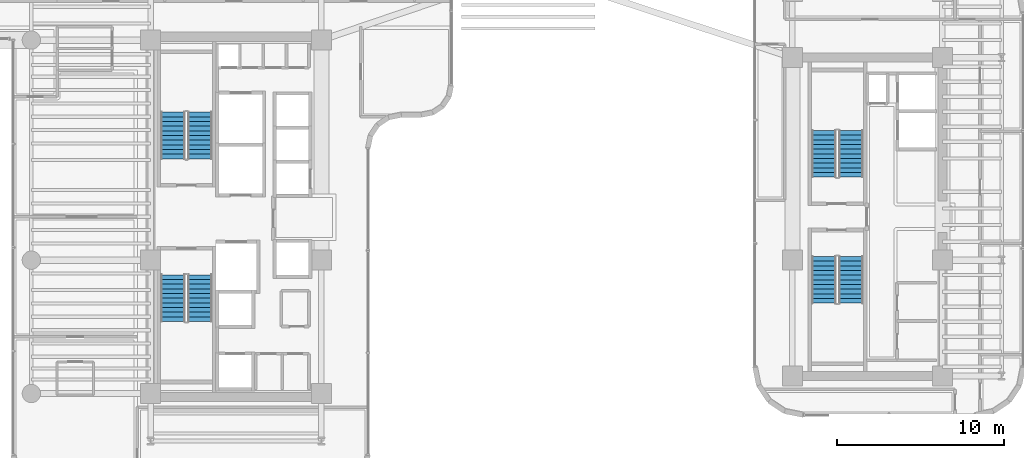
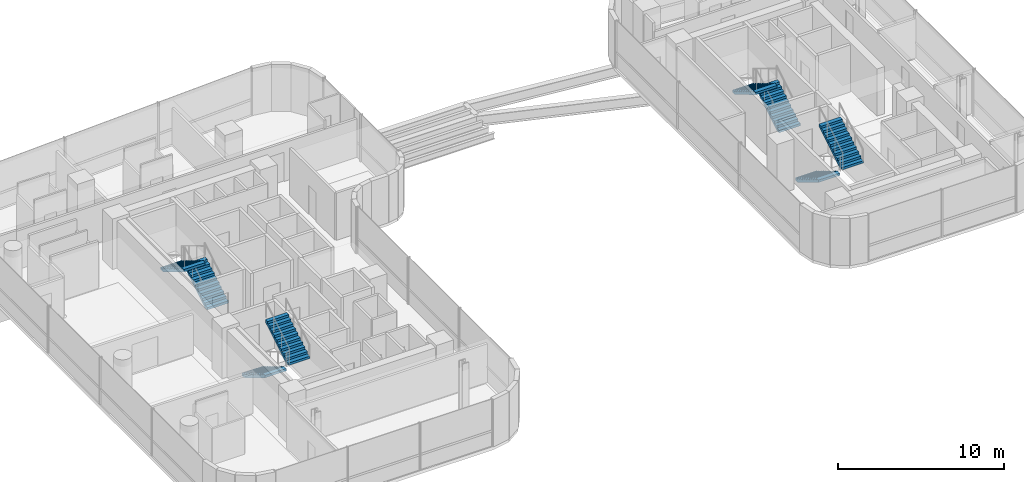
# One storey, part 32 of 36: 8 stair flights, 4 elements without a shape of their own.
"""IFC4 building model written with IfcOpenShell, lengths in metres."""

from ifc_helpers import new_model, si_unit, direction, frame, origin, place, context, subcontext, project, spatial, polyline, outline, extrude, material, type_object, element, aggregate, save


model = new_model("IFC4")

# Units and contexts
model_context = context("Model", 3, precision=1e-05, world=origin(), true_north=direction((0.0, 1.0)))
body_context = subcontext(model_context, "Body", "Model", "MODEL_VIEW")
ifc_project = project(units=[si_unit("LENGTHUNIT", "METRE"), si_unit("AREAUNIT", "SQUARE_METRE"), si_unit("VOLUMEUNIT", "CUBIC_METRE"), si_unit("PLANEANGLEUNIT", "RADIAN"), si_unit("MASSUNIT", "GRAM", prefix="KILO")], contexts=[model_context])

# Site, building, storey
site_placement = place(None, origin())
site = spatial("IfcSite", under=ifc_project, at=site_placement, CompositionType="ELEMENT")
building_placement = place(site_placement, origin())
building = spatial("IfcBuilding", under=site, at=building_placement, Name="Valdorenza Pilgrim Sanctuary Tower", CompositionType="ELEMENT")
storey_placement = place(building_placement, frame((0.0, 0.0, 153.800048828125)))
storey = spatial("IfcBuildingStorey", under=building, at=storey_placement, Name="L39", CompositionType="ELEMENT", Elevation=153.800048828125)

# Stair, stair flights
ifc_material = material(Name="Concrete C40/50", Category="concrete")
stair_type = type_object("IfcStairType", Name="STR-DOG-CORE", PredefinedType="HALF_TURN_STAIR", material=ifc_material)
stair_1_placement = place(storey_placement, origin())
stair_1 = element("IfcStair", 1, at=stair_1_placement, inside=storey, type_object=stair_type, Name="L39 ST-A1", PredefinedType="HALF_TURN_STAIR")
stair_flight_type = type_object("IfcStairFlightType", Name="STF-RC-1400", PredefinedType="STRAIGHT", material=ifc_material)
stair_flight_1_placement = place(storey_placement, frame((-19.679931640625, 3.47998046875, 0.0), z_axis=(0.0, 0.0, 1.0), x_axis=(0.0, 1.0, 0.0)))
stair_flight_1 = element("IfcStairFlight", 2, at=stair_flight_1_placement, type_object=stair_flight_type, Name="ST-A1 flight 1", NumberOfRisers=11, NumberOfTreads=10, PredefinedType="STRAIGHT", RiserHeight=0.168181818, TreadLength=0.28, context=body_context, shape_type="SweptSolid", body=[
    extrude(outline(polyline([(0.0, 0.0), (0.0, 0.168212890625), (0.280029296875, 0.168212890625), (0.280029296875, 0.33642578125), (0.56005859375, 0.33642578125), (0.56005859375, 0.504638671875), (0.840087890625, 0.504638671875), (0.840087890625, 0.672607421875), (1.1201171875, 0.672607421875), (1.1201171875, 0.8408203125), (1.39990234375, 0.8408203125), (1.39990234375, 1.009033203125), (1.679931640625, 1.009033203125), (1.679931640625, 1.17724609375), (1.9599609375, 1.17724609375), (1.9599609375, 1.345458984375), (2.239990234375, 1.345458984375), (2.239990234375, 1.513671875), (2.52001953125, 1.513671875), (2.52001953125, 1.681884765625), (2.800048828125, 1.681884765625), (2.800048828125, 1.85009765625), (2.800048828125, 1.5068359375), (0.291015625, 0.0), (0.0, 0.0)])), frame((0.0, 0.739990234375, 0.0), z_axis=(0.0, -1.0, 0.0), x_axis=(1.0, 0.0, 0.0)), (0.0, 0.0, 1.0), 1.47998046875),
])
stair_flight_2_placement = place(storey_placement, frame((-21.31005859375, 6.280029296875, 1.849853515625), z_axis=(0.0, 0.0, 1.0), x_axis=(0.0, -1.0, 0.0)))
stair_flight_2 = element("IfcStairFlight", 3, at=stair_flight_2_placement, type_object=stair_flight_type, Name="ST-A1 flight 2", NumberOfRisers=11, NumberOfTreads=10, PredefinedType="STRAIGHT", RiserHeight=0.168181818, TreadLength=0.28, context=body_context, shape_type="SweptSolid", body=[
    extrude(outline(polyline([(0.0, 0.0), (0.0, 0.168212890625), (0.280029296875, 0.168212890625), (0.280029296875, 0.33642578125), (0.56005859375, 0.33642578125), (0.56005859375, 0.504638671875), (0.840087890625, 0.504638671875), (0.840087890625, 0.672607421875), (1.1201171875, 0.672607421875), (1.1201171875, 0.8408203125), (1.39990234375, 0.8408203125), (1.39990234375, 1.009033203125), (1.679931640625, 1.009033203125), (1.679931640625, 1.17724609375), (1.9599609375, 1.17724609375), (1.9599609375, 1.345458984375), (2.239990234375, 1.345458984375), (2.239990234375, 1.513671875), (2.52001953125, 1.513671875), (2.52001953125, 1.681884765625), (2.800048828125, 1.681884765625), (2.800048828125, 1.85009765625), (2.800048828125, 1.5068359375), (0.291015625, 0.0), (0.0, 0.0)])), frame((0.0, 0.739990234375, 0.0), z_axis=(0.0, -1.0, 0.0), x_axis=(1.0, 0.0, 0.0)), (0.0, 0.0, 1.0), 1.47998046875),
])
aggregate(stair_1, [stair_flight_1, stair_flight_2])

stair_2_placement = place(storey_placement, origin())
stair_2 = element("IfcStair", 4, at=stair_2_placement, inside=storey, type_object=stair_type, Name="L39 ST-A2", PredefinedType="HALF_TURN_STAIR")
stair_flight_3_placement = place(storey_placement, frame((-21.31005859375, -3.47998046875, 0.0), z_axis=(0.0, 0.0, 1.0), x_axis=(0.0, -1.0, 0.0)))
stair_flight_3 = element("IfcStairFlight", 5, at=stair_flight_3_placement, type_object=stair_flight_type, Name="ST-A2 flight 1", NumberOfRisers=11, NumberOfTreads=10, PredefinedType="STRAIGHT", RiserHeight=0.168181818, TreadLength=0.28, context=body_context, shape_type="SweptSolid", body=[
    extrude(outline(polyline([(0.0, 0.0), (0.0, 0.168212890625), (0.280029296875, 0.168212890625), (0.280029296875, 0.33642578125), (0.56005859375, 0.33642578125), (0.56005859375, 0.504638671875), (0.840087890625, 0.504638671875), (0.840087890625, 0.672607421875), (1.1201171875, 0.672607421875), (1.1201171875, 0.8408203125), (1.39990234375, 0.8408203125), (1.39990234375, 1.009033203125), (1.679931640625, 1.009033203125), (1.679931640625, 1.17724609375), (1.9599609375, 1.17724609375), (1.9599609375, 1.345458984375), (2.239990234375, 1.345458984375), (2.239990234375, 1.513671875), (2.52001953125, 1.513671875), (2.52001953125, 1.681884765625), (2.800048828125, 1.681884765625), (2.800048828125, 1.85009765625), (2.800048828125, 1.5068359375), (0.291015625, 0.0), (0.0, 0.0)])), frame((0.0, 0.739990234375, 0.0), z_axis=(0.0, -1.0, 0.0), x_axis=(1.0, 0.0, 0.0)), (0.0, 0.0, 1.0), 1.47998046875),
])
stair_flight_4_placement = place(storey_placement, frame((-19.679931640625, -6.280029296875, 1.849853515625), z_axis=(0.0, 0.0, 1.0), x_axis=(0.0, 1.0, 0.0)))
stair_flight_4 = element("IfcStairFlight", 6, at=stair_flight_4_placement, type_object=stair_flight_type, Name="ST-A2 flight 2", NumberOfRisers=11, NumberOfTreads=10, PredefinedType="STRAIGHT", RiserHeight=0.168181818, TreadLength=0.28, context=body_context, shape_type="SweptSolid", body=[
    extrude(outline(polyline([(0.0, 0.0), (0.0, 0.168212890625), (0.280029296875, 0.168212890625), (0.280029296875, 0.33642578125), (0.56005859375, 0.33642578125), (0.56005859375, 0.504638671875), (0.840087890625, 0.504638671875), (0.840087890625, 0.672607421875), (1.1201171875, 0.672607421875), (1.1201171875, 0.8408203125), (1.39990234375, 0.8408203125), (1.39990234375, 1.009033203125), (1.679931640625, 1.009033203125), (1.679931640625, 1.17724609375), (1.9599609375, 1.17724609375), (1.9599609375, 1.345458984375), (2.239990234375, 1.345458984375), (2.239990234375, 1.513671875), (2.52001953125, 1.513671875), (2.52001953125, 1.681884765625), (2.800048828125, 1.681884765625), (2.800048828125, 1.85009765625), (2.800048828125, 1.5068359375), (0.291015625, 0.0), (0.0, 0.0)])), frame((0.0, 0.739990234375, 0.0), z_axis=(0.0, -1.0, 0.0), x_axis=(1.0, 0.0, 0.0)), (0.0, 0.0, 1.0), 1.47998046875),
])
aggregate(stair_2, [stair_flight_3, stair_flight_4])

stair_3_placement = place(storey_placement, origin())
stair_3 = element("IfcStair", 7, at=stair_3_placement, inside=storey, type_object=stair_type, Name="L39 ST-B1", PredefinedType="HALF_TURN_STAIR")
stair_flight_5_placement = place(storey_placement, frame((19.3701171875, 2.3798828125, 0.0), z_axis=(0.0, 0.0, 1.0), x_axis=(0.0, 1.0, 0.0)))
stair_flight_5 = element("IfcStairFlight", 8, at=stair_flight_5_placement, type_object=stair_flight_type, Name="ST-B1 flight 1", NumberOfRisers=11, NumberOfTreads=10, PredefinedType="STRAIGHT", RiserHeight=0.168181818, TreadLength=0.28, context=body_context, shape_type="SweptSolid", body=[
    extrude(outline(polyline([(0.0, 0.0), (0.0, 0.168212890625), (0.280029296875, 0.168212890625), (0.280029296875, 0.33642578125), (0.56005859375, 0.33642578125), (0.56005859375, 0.504638671875), (0.840087890625, 0.504638671875), (0.840087890625, 0.672607421875), (1.1201171875, 0.672607421875), (1.1201171875, 0.8408203125), (1.39990234375, 0.8408203125), (1.39990234375, 1.009033203125), (1.679931640625, 1.009033203125), (1.679931640625, 1.17724609375), (1.9599609375, 1.17724609375), (1.9599609375, 1.345458984375), (2.239990234375, 1.345458984375), (2.239990234375, 1.513671875), (2.52001953125, 1.513671875), (2.52001953125, 1.681884765625), (2.800048828125, 1.681884765625), (2.800048828125, 1.85009765625), (2.800048828125, 1.5068359375), (0.291015625, 0.0), (0.0, 0.0)])), frame((0.0, 0.739990234375, 0.0), z_axis=(0.0, -1.0, 0.0), x_axis=(1.0, 0.0, 0.0)), (0.0, 0.0, 1.0), 1.47998046875),
])
stair_flight_6_placement = place(storey_placement, frame((17.739990234375, 5.179931640625, 1.849853515625), z_axis=(0.0, 0.0, 1.0), x_axis=(0.0, -1.0, 0.0)))
stair_flight_6 = element("IfcStairFlight", 9, at=stair_flight_6_placement, type_object=stair_flight_type, Name="ST-B1 flight 2", NumberOfRisers=11, NumberOfTreads=10, PredefinedType="STRAIGHT", RiserHeight=0.168181818, TreadLength=0.28, context=body_context, shape_type="SweptSolid", body=[
    extrude(outline(polyline([(0.0, 0.0), (0.0, 0.168212890625), (0.280029296875, 0.168212890625), (0.280029296875, 0.33642578125), (0.56005859375, 0.33642578125), (0.56005859375, 0.504638671875), (0.840087890625, 0.504638671875), (0.840087890625, 0.672607421875), (1.1201171875, 0.672607421875), (1.1201171875, 0.8408203125), (1.39990234375, 0.8408203125), (1.39990234375, 1.009033203125), (1.679931640625, 1.009033203125), (1.679931640625, 1.17724609375), (1.9599609375, 1.17724609375), (1.9599609375, 1.345458984375), (2.239990234375, 1.345458984375), (2.239990234375, 1.513671875), (2.52001953125, 1.513671875), (2.52001953125, 1.681884765625), (2.800048828125, 1.681884765625), (2.800048828125, 1.85009765625), (2.800048828125, 1.5068359375), (0.291015625, 0.0), (0.0, 0.0)])), frame((0.0, 0.739990234375, 0.0), z_axis=(0.0, -1.0, 0.0), x_axis=(1.0, 0.0, 0.0)), (0.0, 0.0, 1.0), 1.47998046875),
])
aggregate(stair_3, [stair_flight_5, stair_flight_6])

stair_4_placement = place(storey_placement, origin())
stair_4 = element("IfcStair", 10, at=stair_4_placement, inside=storey, type_object=stair_type, Name="L39 ST-B2", PredefinedType="HALF_TURN_STAIR")
stair_flight_7_placement = place(storey_placement, frame((17.739990234375, -2.3798828125, 0.0), z_axis=(0.0, 0.0, 1.0), x_axis=(0.0, -1.0, 0.0)))
stair_flight_7 = element("IfcStairFlight", 11, at=stair_flight_7_placement, type_object=stair_flight_type, Name="ST-B2 flight 1", NumberOfRisers=11, NumberOfTreads=10, PredefinedType="STRAIGHT", RiserHeight=0.168181818, TreadLength=0.28, context=body_context, shape_type="SweptSolid", body=[
    extrude(outline(polyline([(0.0, 0.0), (0.0, 0.168212890625), (0.280029296875, 0.168212890625), (0.280029296875, 0.33642578125), (0.56005859375, 0.33642578125), (0.56005859375, 0.504638671875), (0.840087890625, 0.504638671875), (0.840087890625, 0.672607421875), (1.1201171875, 0.672607421875), (1.1201171875, 0.8408203125), (1.39990234375, 0.8408203125), (1.39990234375, 1.009033203125), (1.679931640625, 1.009033203125), (1.679931640625, 1.17724609375), (1.9599609375, 1.17724609375), (1.9599609375, 1.345458984375), (2.239990234375, 1.345458984375), (2.239990234375, 1.513671875), (2.52001953125, 1.513671875), (2.52001953125, 1.681884765625), (2.800048828125, 1.681884765625), (2.800048828125, 1.85009765625), (2.800048828125, 1.5068359375), (0.291015625, 0.0), (0.0, 0.0)])), frame((0.0, 0.739990234375, 0.0), z_axis=(0.0, -1.0, 0.0), x_axis=(1.0, 0.0, 0.0)), (0.0, 0.0, 1.0), 1.47998046875),
])
stair_flight_8_placement = place(storey_placement, frame((19.3701171875, -5.179931640625, 1.849853515625), z_axis=(0.0, 0.0, 1.0), x_axis=(0.0, 1.0, 0.0)))
stair_flight_8 = element("IfcStairFlight", 12, at=stair_flight_8_placement, type_object=stair_flight_type, Name="ST-B2 flight 2", NumberOfRisers=11, NumberOfTreads=10, PredefinedType="STRAIGHT", RiserHeight=0.168181818, TreadLength=0.28, context=body_context, shape_type="SweptSolid", body=[
    extrude(outline(polyline([(0.0, 0.0), (0.0, 0.168212890625), (0.280029296875, 0.168212890625), (0.280029296875, 0.33642578125), (0.56005859375, 0.33642578125), (0.56005859375, 0.504638671875), (0.840087890625, 0.504638671875), (0.840087890625, 0.672607421875), (1.1201171875, 0.672607421875), (1.1201171875, 0.8408203125), (1.39990234375, 0.8408203125), (1.39990234375, 1.009033203125), (1.679931640625, 1.009033203125), (1.679931640625, 1.17724609375), (1.9599609375, 1.17724609375), (1.9599609375, 1.345458984375), (2.239990234375, 1.345458984375), (2.239990234375, 1.513671875), (2.52001953125, 1.513671875), (2.52001953125, 1.681884765625), (2.800048828125, 1.681884765625), (2.800048828125, 1.85009765625), (2.800048828125, 1.5068359375), (0.291015625, 0.0), (0.0, 0.0)])), frame((0.0, 0.739990234375, 0.0), z_axis=(0.0, -1.0, 0.0), x_axis=(1.0, 0.0, 0.0)), (0.0, 0.0, 1.0), 1.47998046875),
])
aggregate(stair_4, [stair_flight_7, stair_flight_8])

save(model, "model.ifc")
